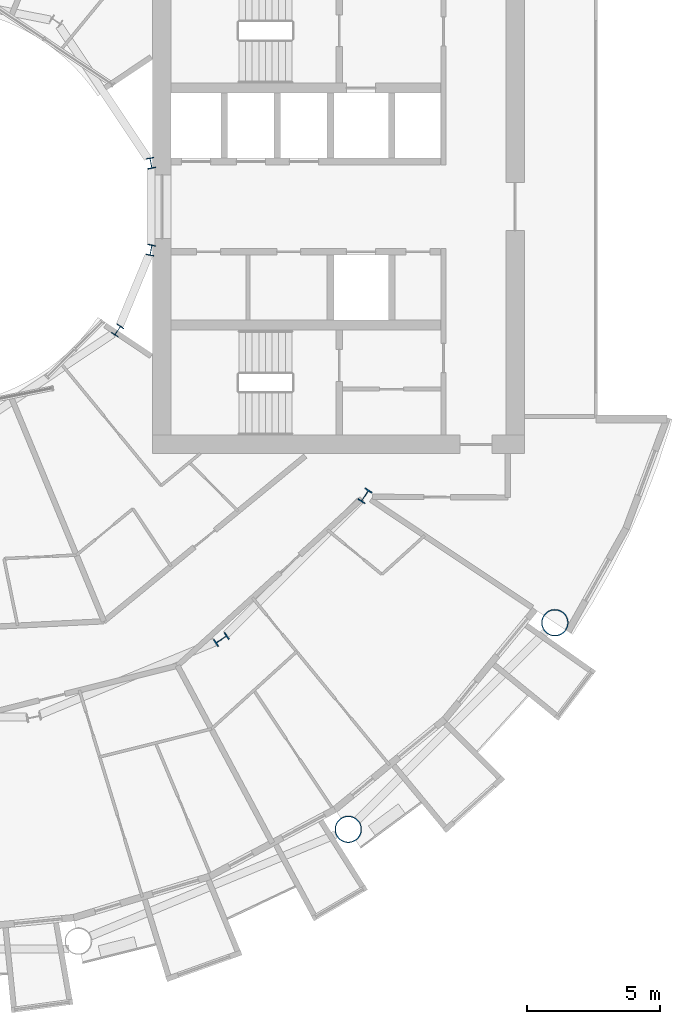
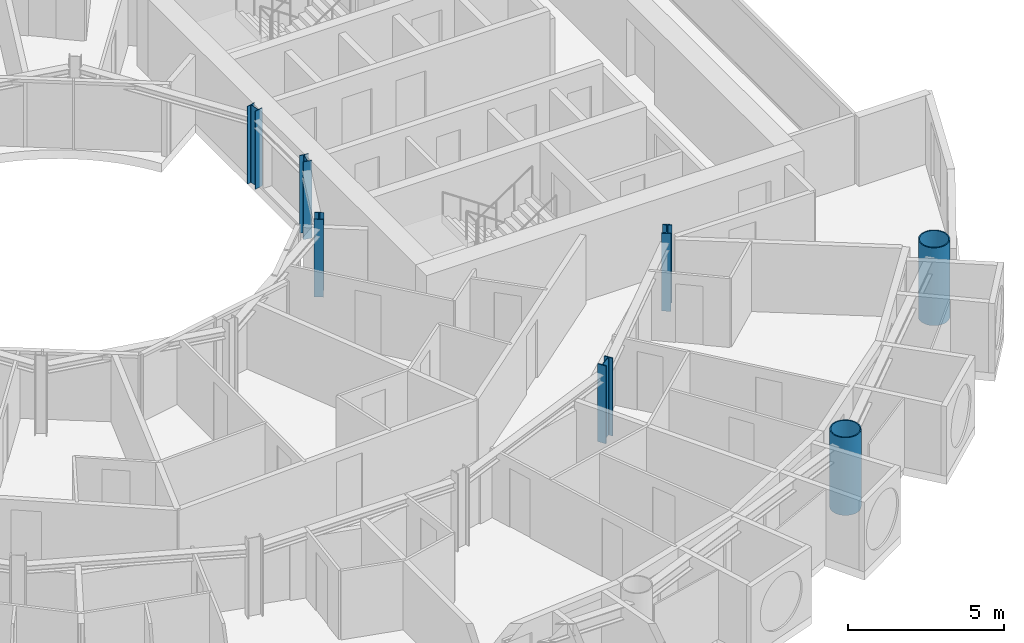
# One storey, part 2 of 26: 7 columns.
"""IFC4 building model written with IfcOpenShell, lengths in metres."""

from ifc_helpers import new_model, si_unit, direction, frame, origin, origin_2d, place, context, subcontext, project, spatial, hollow_circle, i_section, extrude, material, material_profile, profile_set, type_object, element, save


model = new_model("IFC4")

# Units and contexts
model_context = context("Model", 3, precision=1e-05, world=origin(), true_north=direction((0.0, 1.0)))
body_context = subcontext(model_context, "Body", "Model", "MODEL_VIEW")
ifc_project = project(units=[si_unit("LENGTHUNIT", "METRE"), si_unit("AREAUNIT", "SQUARE_METRE"), si_unit("VOLUMEUNIT", "CUBIC_METRE"), si_unit("PLANEANGLEUNIT", "RADIAN"), si_unit("MASSUNIT", "GRAM", prefix="KILO")], contexts=[model_context])

# Site, building, storey
site_placement = place(None, origin())
site = spatial("IfcSite", under=ifc_project, at=site_placement, CompositionType="ELEMENT")
building_placement = place(site_placement, origin())
building = spatial("IfcBuilding", under=site, at=building_placement, Name="Maasbend Ring Residences", CompositionType="ELEMENT")
storey_placement = place(building_placement, frame((0.0, 0.0, 84.949951171875)))
storey = spatial("IfcBuildingStorey", under=building, at=storey_placement, Name="L24", CompositionType="ELEMENT", Elevation=84.949951171875)

# Columns
ifc_material_1 = material(Name="Composite concrete-filled steel tube S460NH / C80/95", Category="concrete")
ifc_material_profile_1 = material_profile(ifc_material_1, hollow_circle(Radius=0.508056640625, WallThickness=0.0400390625, at=origin_2d()), Name="Composite tube column CHS 1016x40")
ifc_profile_set_1 = profile_set([ifc_material_profile_1], Name="Composite concrete-filled steel tube S460NH / C80/95")
column_type_1 = type_object("IfcColumnType", Name="Composite tube column CHS 1016x40", PredefinedType="COLUMN", material=ifc_profile_set_1)
for number, where, z_axis, x_axis, name in (
    (1, (15.6669921875, -23.447509765625, 0.0), (0.0, 0.0, 1.0), (1.0, 0.0, 0.0), "Outer column R14"),
    (2, (23.447509765625, -15.6669921875, 0.0), (0.0, 0.0, 1.0), (1.0, 0.0, 0.0), "Outer column R15"),
):
    element("IfcColumn", number, at=place(storey_placement, frame(where, z_axis=z_axis, x_axis=x_axis)), inside=storey, type_object=column_type_1, Name=name, PredefinedType="COLUMN", context=body_context, shape_type="SweptSolid", body=[
        extrude(hollow_circle(Radius=0.508056640625, WallThickness=0.0400390625, at=origin_2d()), origin(), (0.0, 0.0, 1.0), 3.050048828125),
    ])
ifc_material_2 = material(Name="Steel S355J2", Category="steel")
ifc_material_profile_2 = material_profile(ifc_material_2, i_section(OverallWidth=0.300048828125, OverallDepth=0.39990234375, WebThickness=0.013427734375, FlangeThickness=0.02392578125, FilletRadius=0.027099609375, at=origin_2d()), Name="HEB 400")
ifc_profile_set_2 = profile_set([ifc_material_profile_2], Name="Steel S355J2")
column_type_2 = type_object("IfcColumnType", Name="Steel column HEB 400", PredefinedType="COLUMN", material=ifc_profile_set_2)
for number, where, z_axis, x_axis, name in (
    (3, (8.238525390625, 1.638916015625, 0.0), (0.0, 0.0, 1.0), (0.980785280403, 0.195090322016, 0.0), "Well ring column R1"),
    (4, (6.984375, -4.666748046875, 0.0), (0.0, 0.0, 1.0), (0.831469612303, -0.55557023302, 0.0), "Well ring column R15"),
    (5, (8.238525390625, -1.638916015625, 0.0), (0.0, 0.0, 1.0), (0.980785280403, -0.195090322016, 0.0), "Well ring column R16"),
):
    element("IfcColumn", number, at=place(storey_placement, frame(where, z_axis=z_axis, x_axis=x_axis)), inside=storey, type_object=column_type_2, Name=name, PredefinedType="COLUMN", context=body_context, shape_type="SweptSolid", body=[
        extrude(i_section(OverallWidth=0.300048828125, OverallDepth=0.39990234375, WebThickness=0.013427734375, FlangeThickness=0.02392578125, FilletRadius=0.027099609375, at=origin_2d()), origin(), (0.0, 0.0, 1.0), 3.050048828125),
    ])
ifc_material_3 = material(Name="Steel S460M", Category="steel")
ifc_material_profile_3 = material_profile(ifc_material_3, i_section(OverallWidth=0.305908203125, OverallDepth=0.52392578125, WebThickness=0.02099609375, FlangeThickness=0.0400390625, FilletRadius=0.027099609375, at=origin_2d()), Name="HEM 500")
ifc_profile_set_3 = profile_set([ifc_material_profile_3], Name="Steel S460M")
column_type_3 = type_object("IfcColumnType", Name="Steel column HEM 500", PredefinedType="COLUMN", material=ifc_profile_set_3)
for number, where, z_axis, x_axis, name in (
    (6, (10.88916015625, -16.296875, 0.0), (0.0, 0.0, 1.0), (0.55557023302, -0.831469612303, 0.0), "Corridor ring column R14"),
    (7, (16.296875, -10.88916015625, 0.0), (0.0, 0.0, 1.0), (0.831469612303, -0.55557023302, 0.0), "Corridor ring column R15"),
):
    element("IfcColumn", number, at=place(storey_placement, frame(where, z_axis=z_axis, x_axis=x_axis)), inside=storey, type_object=column_type_3, Name=name, PredefinedType="COLUMN", context=body_context, shape_type="SweptSolid", body=[
        extrude(i_section(OverallWidth=0.305908203125, OverallDepth=0.52392578125, WebThickness=0.02099609375, FlangeThickness=0.0400390625, FilletRadius=0.027099609375, at=origin_2d()), origin(), (0.0, 0.0, 1.0), 3.050048828125),
    ])

save(model, "model.ifc")
